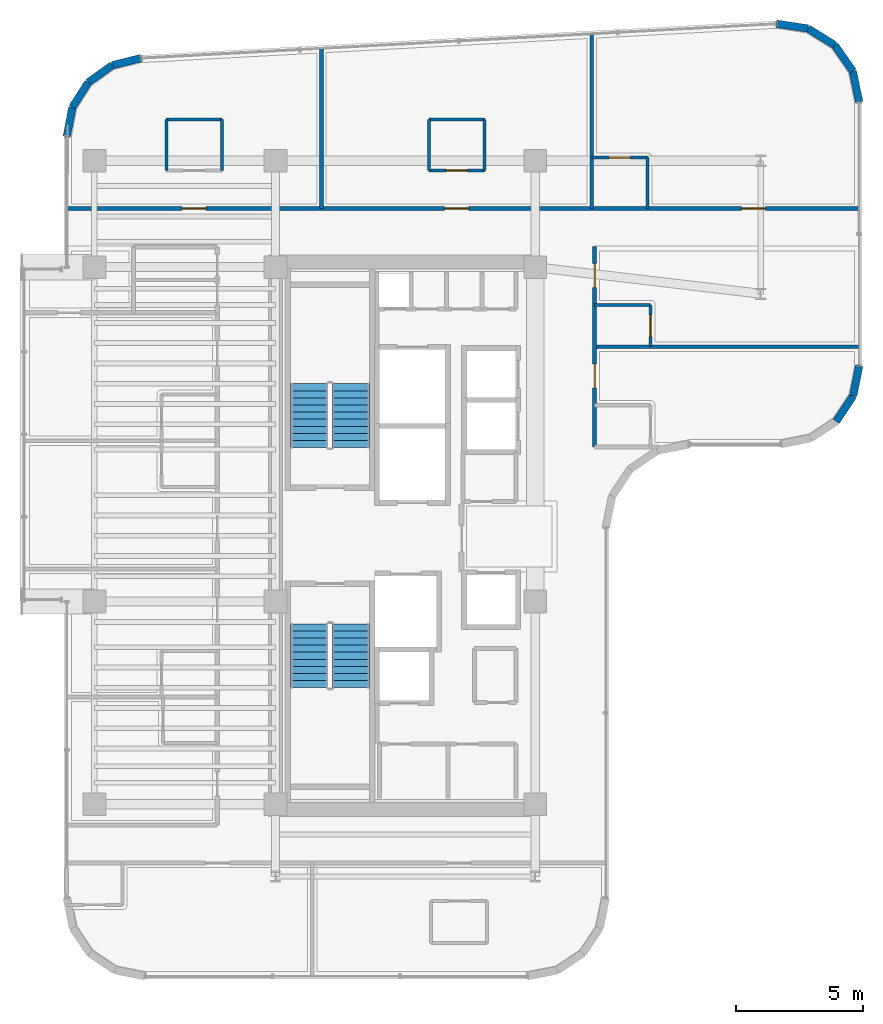
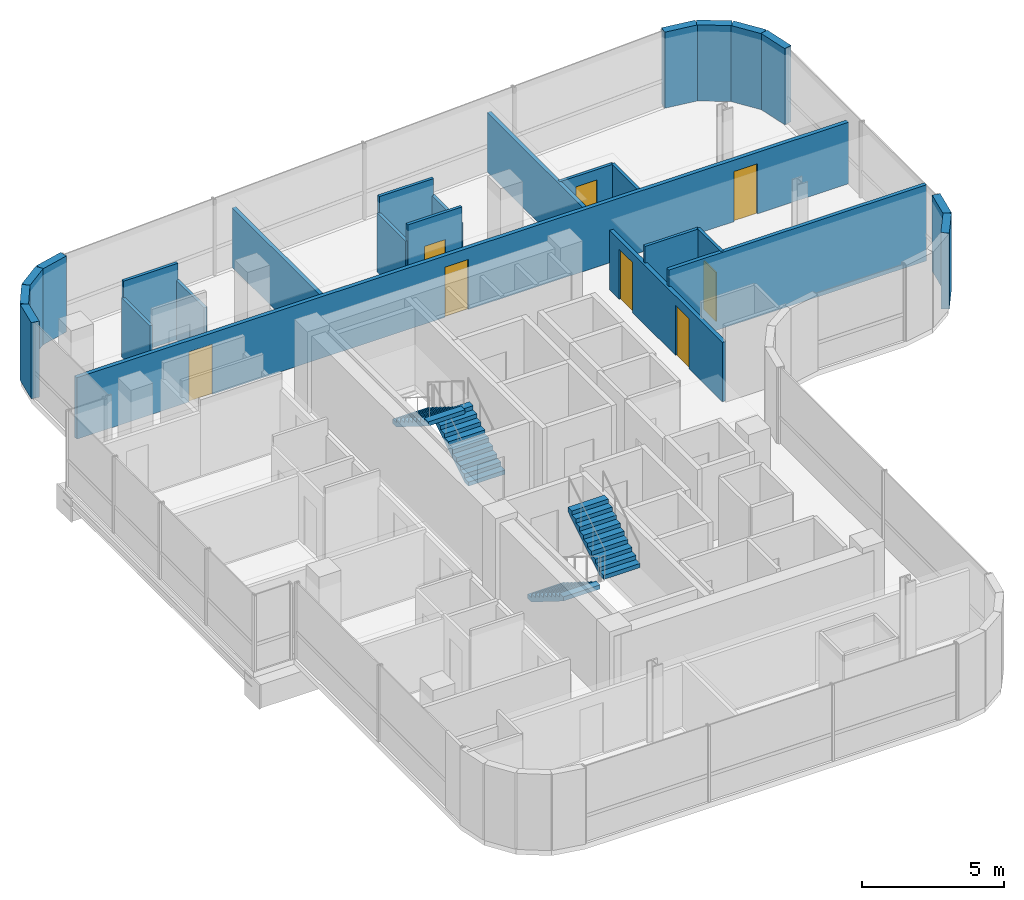
# One storey, part 19 of 22: 26 walls, 8 doors, 4 stair flights, 8 openings, 2 elements without a shape of their own.
"""IFC4 building model written with IfcOpenShell, lengths in metres."""

from ifc_helpers import new_model, si_unit, direction, frame, frame_2d, origin, place, context, subcontext, project, spatial, polyline, rectangle, outline, extrude, material, layer, layer_set, type_object, element, fill, aggregate, save


model = new_model("IFC4")

# Units and contexts
model_context = context("Model", 3, precision=1e-05, world=origin(), true_north=direction((0.0, 1.0)))
body_context = subcontext(model_context, "Body", "Model", "MODEL_VIEW")
ifc_project = project(units=[si_unit("LENGTHUNIT", "METRE"), si_unit("AREAUNIT", "SQUARE_METRE"), si_unit("VOLUMEUNIT", "CUBIC_METRE"), si_unit("PLANEANGLEUNIT", "RADIAN"), si_unit("MASSUNIT", "GRAM", prefix="KILO")], contexts=[model_context])

# Site, building, storey
site_placement = place(None, origin())
site = spatial("IfcSite", under=ifc_project, at=site_placement, CompositionType="ELEMENT")
building_placement = place(site_placement, origin())
building = spatial("IfcBuilding", under=site, at=building_placement, Name="Valdorenza Pilgrim Sanctuary Tower", CompositionType="ELEMENT")
storey_placement = place(building_placement, frame((0.0, 0.0, 216.0)))
storey = spatial("IfcBuildingStorey", under=building, at=storey_placement, Name="L55", CompositionType="ELEMENT", Elevation=216.0)

# Wall, openings, doors
ifc_material_1 = material(Name="Acoustic twin-stud gypsum partition", Category="gypsum")
ifc_layer_1 = layer(ifc_material_1, 0.159912109375, Name="Acoustic twin-stud gypsum partition")
ifc_layer_set_1 = layer_set([ifc_layer_1], Name="Acoustic twin-stud gypsum partition")
wall_type_1 = type_object("IfcWallType", Name="WAL-COR-160", PredefinedType="PARTITIONING", material=ifc_layer_set_1)
wall_1_placement = place(storey_placement, frame((-30.889892578125, 12.919921875, 0.0), z_axis=(0.0, 0.0, 1.0), x_axis=(1.0, 0.0, 0.0)))
wall_1 = element("IfcWall", 1, at=wall_1_placement, inside=storey, type_object=wall_type_1, Name="L55 North Corridor Wall", PredefinedType="PARTITIONING", context=body_context, shape_type="SweptSolid", body=[
    extrude(rectangle(XDim=31.27978515625, YDim=0.159912109375, at=frame_2d((15.639892578125, 0.0))), origin(), (0.0, 0.0, 1.0), 2.634033203125),
])
opening_1_placement = place(wall_1_placement, frame((4.553955078125, 0.0, 0.0)))
opening_1 = element("IfcOpeningElement", 2, at=opening_1_placement, cuts=wall_1, Name="Opening DR-UN1", PredefinedType="OPENING", context=body_context, shape_type="SweptSolid", body=[
    extrude(rectangle(XDim=0.949951171875, YDim=2.14990234375, at=frame_2d((0.47509765625, 1.074951171875))), frame((0.0, 0.0947265625, 0.0), z_axis=(0.0, -1.0, 0.0), x_axis=(1.0, 0.0, 0.0)), (0.0, 0.0, 1.0), 0.189697265625),
])
opening_2_placement = place(wall_1_placement, frame((14.9150390625, 0.0, 0.0)))
opening_2 = element("IfcOpeningElement", 3, at=opening_2_placement, cuts=wall_1, Name="Opening DR-UN1", PredefinedType="OPENING", context=body_context, shape_type="SweptSolid", body=[
    extrude(rectangle(XDim=0.949951171875, YDim=2.14990234375, at=frame_2d((0.47509765625, 1.074951171875))), frame((0.0, 0.0947265625, 0.0), z_axis=(0.0, -1.0, 0.0), x_axis=(1.0, 0.0, 0.0)), (0.0, 0.0, 1.0), 0.189697265625),
])
opening_3_placement = place(wall_1_placement, frame((26.626953125, 0.0, 0.0)))
opening_3 = element("IfcOpeningElement", 4, at=opening_3_placement, cuts=wall_1, Name="Opening DR-UN1", PredefinedType="OPENING", context=body_context, shape_type="SweptSolid", body=[
    extrude(rectangle(XDim=0.949951171875, YDim=2.14990234375, at=frame_2d((0.47509765625, 1.074951171875))), frame((0.0, 0.0947265625, 0.0), z_axis=(0.0, -1.0, 0.0), x_axis=(1.0, 0.0, 0.0)), (0.0, 0.0, 1.0), 0.189697265625),
])
ifc_material_2 = material(Name="Solid-core European oak timber", Category="wood")
door_type_1 = type_object("IfcDoorType", Name="DR-UNIT-950", OperationType="NOTDEFINED", PredefinedType="DOOR", material=ifc_material_2)
door_1_placement = place(opening_1_placement, origin())
door_1 = element("IfcDoor", 5, at=door_1_placement, inside=storey, type_object=door_type_1, Name="L55 North Guest Room L55-N1 Entrance Door", OperationType="SINGLE_SWING_RIGHT", OverallHeight=2.14990234375, OverallWidth=0.949951171875, PredefinedType="DOOR", context=body_context, shape_type="SweptSolid", body=[
    extrude(rectangle(XDim=0.949951171875, YDim=2.14990234375, at=frame_2d((0.47509765625, 1.074951171875))), frame((0.0, 0.02490234375, 0.0), z_axis=(0.0, -1.0, 0.0), x_axis=(1.0, 0.0, 0.0)), (0.0, 0.0, 1.0), 0.050048828125),
])
fill(opening_1, door_1)
door_2_placement = place(opening_2_placement, origin())
door_2 = element("IfcDoor", 6, at=door_2_placement, inside=storey, type_object=door_type_1, Name="L55 North Guest Room L55-N2 Entrance Door", OperationType="SINGLE_SWING_RIGHT", OverallHeight=2.14990234375, OverallWidth=0.949951171875, PredefinedType="DOOR", context=body_context, shape_type="SweptSolid", body=[
    extrude(rectangle(XDim=0.949951171875, YDim=2.14990234375, at=frame_2d((0.47509765625, 1.074951171875))), frame((0.0, 0.02490234375, 0.0), z_axis=(0.0, -1.0, 0.0), x_axis=(1.0, 0.0, 0.0)), (0.0, 0.0, 1.0), 0.050048828125),
])
fill(opening_2, door_2)
door_3_placement = place(opening_3_placement, origin())
door_3 = element("IfcDoor", 7, at=door_3_placement, inside=storey, type_object=door_type_1, Name="L55 North Guest Room L55-N3 Entrance Door", OperationType="SINGLE_SWING_RIGHT", OverallHeight=2.14990234375, OverallWidth=0.949951171875, PredefinedType="DOOR", context=body_context, shape_type="SweptSolid", body=[
    extrude(rectangle(XDim=0.949951171875, YDim=2.14990234375, at=frame_2d((0.47509765625, 1.074951171875))), frame((0.0, 0.02490234375, 0.0), z_axis=(0.0, -1.0, 0.0), x_axis=(1.0, 0.0, 0.0)), (0.0, 0.0, 1.0), 0.050048828125),
])
fill(opening_3, door_3)

wall_2_placement = place(storey_placement, frame((-10.050048828125, 3.5, 0.0), z_axis=(0.0, 0.0, 1.0), x_axis=(0.0, 1.0, 0.0)))
wall_2 = element("IfcWall", 8, at=wall_2_placement, inside=storey, type_object=wall_type_1, Name="L55 East Stub Corridor Wall", PredefinedType="PARTITIONING", context=body_context, shape_type="SweptSolid", body=[
    extrude(rectangle(XDim=7.919921875, YDim=0.159912109375, at=frame_2d((3.9599609375, 0.0))), origin(), (0.0, 0.0, 1.0), 2.5439453125),
])
opening_4_placement = place(wall_2_placement, frame((2.330078125, 0.0, 0.0)))
opening_4 = element("IfcOpeningElement", 9, at=opening_4_placement, cuts=wall_2, Name="Opening DR-UN1", PredefinedType="OPENING", context=body_context, shape_type="SweptSolid", body=[
    extrude(rectangle(XDim=0.949951171875, YDim=2.14990234375, at=frame_2d((0.47509765625, 1.074951171875))), frame((0.0, 0.0947265625, 0.0), z_axis=(0.0, -1.0, 0.0), x_axis=(1.0, 0.0, 0.0)), (0.0, 0.0, 1.0), 0.189697265625),
])
opening_5_placement = place(wall_2_placement, frame((6.2900390625, 0.0, 0.0)))
opening_5 = element("IfcOpeningElement", 10, at=opening_5_placement, cuts=wall_2, Name="Opening DR-UN1", PredefinedType="OPENING", context=body_context, shape_type="SweptSolid", body=[
    extrude(rectangle(XDim=0.949951171875, YDim=2.14990234375, at=frame_2d((0.47509765625, 1.074951171875))), frame((0.0, 0.0947265625, 0.0), z_axis=(0.0, -1.0, 0.0), x_axis=(1.0, 0.0, 0.0)), (0.0, 0.0, 1.0), 0.189697265625),
])
door_4_placement = place(opening_4_placement, origin())
door_4 = element("IfcDoor", 11, at=door_4_placement, inside=storey, type_object=door_type_1, Name="L55 East Sanctuary Guest Room L55-E1 Entrance Door", OperationType="SINGLE_SWING_RIGHT", OverallHeight=2.14990234375, OverallWidth=0.949951171875, PredefinedType="DOOR", context=body_context, shape_type="SweptSolid", body=[
    extrude(rectangle(XDim=0.949951171875, YDim=2.14990234375, at=frame_2d((0.47509765625, 1.074951171875))), frame((0.0, 0.02490234375, 0.0), z_axis=(0.0, -1.0, 0.0), x_axis=(1.0, 0.0, 0.0)), (0.0, 0.0, 1.0), 0.050048828125),
])
fill(opening_4, door_4)
door_5_placement = place(opening_5_placement, origin())
door_5 = element("IfcDoor", 12, at=door_5_placement, inside=storey, type_object=door_type_1, Name="L55 East Sanctuary Guest Room L55-E2 Entrance Door", OperationType="SINGLE_SWING_RIGHT", OverallHeight=2.14990234375, OverallWidth=0.949951171875, PredefinedType="DOOR", context=body_context, shape_type="SweptSolid", body=[
    extrude(rectangle(XDim=0.949951171875, YDim=2.14990234375, at=frame_2d((0.47509765625, 1.074951171875))), frame((0.0, 0.02490234375, 0.0), z_axis=(0.0, -1.0, 0.0), x_axis=(1.0, 0.0, 0.0)), (0.0, 0.0, 1.0), 0.050048828125),
])
fill(opening_5, door_5)

# Walls
ifc_material_3 = material(Name="Honed travertine limestone", Category="masonry")
ifc_layer_2 = layer(ifc_material_3, 0.300048828125, Name="Honed travertine limestone")
ifc_layer_set_2 = layer_set([ifc_layer_2], Name="Honed travertine limestone")
wall_type_2 = type_object("IfcWallType", Name="WAL-EXT-300", PredefinedType="SOLIDWALL", material=ifc_layer_set_2)
wall_3_placement = place(storey_placement, frame((-30.889892578125, 15.757568359375, 0.0), z_axis=(0.0, 0.0, 1.0), x_axis=(0.18831542659, 0.982108598938, 0.0)))
element("IfcWall", 13, at=wall_3_placement, inside=storey, type_object=wall_type_2, Name="L55 Rounded Wind-Corner Stone Pier 2", PredefinedType="SOLIDWALL", context=body_context, shape_type="SweptSolid", body=[
    extrude(rectangle(XDim=1.174560546875, YDim=0.300048828125, at=frame_2d((0.58740234375, 0.0))), origin(), (0.0, 0.0, 1.0), 3.260009765625),
])
wall_4_placement = place(storey_placement, frame((-30.668701171875, 16.9111328125, 0.0), z_axis=(0.0, 0.0, 1.0), x_axis=(0.538678781902, 0.84251122837, 0.0)))
element("IfcWall", 14, at=wall_4_placement, inside=storey, type_object=wall_type_2, Name="L55 Rounded Wind-Corner Stone Pier 3", PredefinedType="SOLIDWALL", context=body_context, shape_type="SweptSolid", body=[
    extrude(rectangle(XDim=1.164306640625, YDim=0.300048828125, at=frame_2d((0.58203125, 0.0))), origin(), (0.0, 0.0, 1.0), 3.260009765625),
])
wall_5_placement = place(storey_placement, frame((-30.04150390625, 17.89208984375, 0.0), z_axis=(0.0, 0.0, 1.0), x_axis=(0.812313539683, 0.583220981487, 0.0)))
element("IfcWall", 15, at=wall_5_placement, inside=storey, type_object=wall_type_2, Name="L55 Rounded Wind-Corner Stone Pier 4", PredefinedType="SOLIDWALL", context=body_context, shape_type="SweptSolid", body=[
    extrude(rectangle(XDim=1.163818359375, YDim=0.300048828125, at=frame_2d((0.58203125, 0.0))), origin(), (0.0, 0.0, 1.0), 3.260009765625),
])
wall_6_placement = place(storey_placement, frame((-29.09619140625, 18.57080078125, 0.0), z_axis=(0.0, 0.0, 1.0), x_axis=(0.97050812798, 0.241068400098, 0.0)))
element("IfcWall", 16, at=wall_6_placement, inside=storey, type_object=wall_type_2, Name="L55 Rounded Wind-Corner Stone Pier 5", PredefinedType="SOLIDWALL", context=body_context, shape_type="SweptSolid", body=[
    extrude(rectangle(XDim=1.1748046875, YDim=0.300048828125, at=frame_2d((0.58740234375, 0.0))), origin(), (0.0, 0.0, 1.0), 3.260009765625),
])
wall_7_placement = place(storey_placement, frame((-2.877685546875, 20.20751953125, 0.0), z_axis=(0.0, 0.0, 1.0), x_axis=(0.988902138571, -0.148568369208, 0.0)))
element("IfcWall", 17, at=wall_7_placement, inside=storey, type_object=wall_type_2, Name="L55 Rounded Wind-Corner Stone Pier 7", PredefinedType="SOLIDWALL", context=body_context, shape_type="SweptSolid", body=[
    extrude(rectangle(XDim=1.257080078125, YDim=0.300048828125, at=frame_2d((0.62841796875, 0.0))), origin(), (0.0, 0.0, 1.0), 3.260009765625),
])
wall_8_placement = place(storey_placement, frame((-1.634521484375, 20.020751953125, 0.0), z_axis=(0.0, 0.0, 1.0), x_axis=(0.849646224094, -0.52735310171, 0.0)))
element("IfcWall", 18, at=wall_8_placement, inside=storey, type_object=wall_type_2, Name="L55 Rounded Wind-Corner Stone Pier 8", PredefinedType="SOLIDWALL", context=body_context, shape_type="SweptSolid", body=[
    extrude(rectangle(XDim=1.245361328125, YDim=0.300048828125, at=frame_2d((0.62255859375, 0.0))), origin(), (0.0, 0.0, 1.0), 3.260009765625),
])
wall_9_placement = place(storey_placement, frame((-0.576416015625, 19.364013671875, 0.0), z_axis=(0.0, 0.0, 1.0), x_axis=(0.572304219931, -0.820041389107, 0.0)))
element("IfcWall", 19, at=wall_9_placement, inside=storey, type_object=wall_type_2, Name="L55 Rounded Wind-Corner Stone Pier 9", PredefinedType="SOLIDWALL", context=body_context, shape_type="SweptSolid", body=[
    extrude(rectangle(XDim=1.24560546875, YDim=0.300048828125, at=frame_2d((0.622802734375, 0.0))), origin(), (0.0, 0.0, 1.0), 3.260009765625),
])
wall_10_placement = place(storey_placement, frame((0.136474609375, 18.342529296875, 0.0), z_axis=(0.0, 0.0, 1.0), x_axis=(0.201603599025, -0.979467196419, 0.0)))
element("IfcWall", 20, at=wall_10_placement, inside=storey, type_object=wall_type_2, Name="L55 Rounded Wind-Corner Stone Pier 10", PredefinedType="SOLIDWALL", context=body_context, shape_type="SweptSolid", body=[
    extrude(rectangle(XDim=1.257080078125, YDim=0.300048828125, at=frame_2d((0.62841796875, 0.0))), origin(), (0.0, 0.0, 1.0), 3.260009765625),
])
wall_11_placement = place(storey_placement, frame((0.389892578125, 6.710693359375, 0.0), z_axis=(0.0, 0.0, 1.0), x_axis=(-0.194996050505, -0.980804027463, 0.0)))
element("IfcWall", 21, at=wall_11_placement, inside=storey, type_object=wall_type_2, Name="L55 Rounded Wind-Corner Stone Pier 12", PredefinedType="SOLIDWALL", context=body_context, shape_type="SweptSolid", body=[
    extrude(rectangle(XDim=1.2158203125, YDim=0.300048828125, at=frame_2d((0.60791015625, 0.0))), origin(), (0.0, 0.0, 1.0), 3.260009765625),
])
wall_12_placement = place(storey_placement, frame((0.15283203125, 5.518310546875, 0.0), z_axis=(0.0, 0.0, 1.0), x_axis=(-0.555635100982, -0.831426265255, 0.0)))
element("IfcWall", 22, at=wall_12_placement, inside=storey, type_object=wall_type_2, Name="L55 Rounded Wind-Corner Stone Pier 13", PredefinedType="SOLIDWALL", context=body_context, shape_type="SweptSolid", body=[
    extrude(rectangle(XDim=1.204833984375, YDim=0.300048828125, at=frame_2d((0.6025390625, 0.0))), origin(), (0.0, 0.0, 1.0), 3.260009765625),
])
ifc_material_4 = material(Name="Moisture-resistant gypsum partition", Category="gypsum")
ifc_layer_3 = layer(ifc_material_4, 0.1201171875, Name="Moisture-resistant gypsum partition")
ifc_layer_set_3 = layer_set([ifc_layer_3], Name="Moisture-resistant gypsum partition")
wall_type_3 = type_object("IfcWallType", Name="WAL-INT-120", PredefinedType="PARTITIONING", material=ifc_layer_set_3)
for number, where, z_axis, x_axis, name in (
    (23, (-26.96142578125, 14.419921875, 0.0), (0.0, 0.0, 1.0), (0.0, 1.0, 0.0), "L55 North Guest Room L55-N1 En-suite West Wall"),
    (24, (-24.761474609375, 14.419921875, 0.0), (0.0, 0.0, 1.0), (0.0, 1.0, 0.0), "L55 North Guest Room L55-N1 En-suite East Wall"),
):
    element("IfcWall", number, at=place(storey_placement, frame(where, z_axis=z_axis, x_axis=x_axis)), inside=storey, type_object=wall_type_3, Name=name, PredefinedType="PARTITIONING", context=body_context, shape_type="SweptSolid", body=[
        extrude(rectangle(XDim=2.0, YDim=0.1201171875, at=frame_2d((1.0, 0.0))), origin(), (0.0, 0.0, 1.0), 2.5439453125),
    ])
wall_13_placement = place(storey_placement, frame((-26.96142578125, 16.419921875, 0.0), z_axis=(0.0, 0.0, 1.0), x_axis=(1.0, 0.0, 0.0)))
element("IfcWall", 25, at=wall_13_placement, inside=storey, type_object=wall_type_3, Name="L55 North Guest Room L55-N1 En-suite Back Wall", PredefinedType="PARTITIONING", context=body_context, shape_type="SweptSolid", body=[
    extrude(rectangle(XDim=2.199951171875, YDim=0.1201171875, at=frame_2d((1.10009765625, 0.0))), origin(), (0.0, 0.0, 1.0), 3.260009765625),
])
for number, where, z_axis, x_axis, name in (
    (26, (-16.60009765625, 14.419921875, 0.0), (0.0, 0.0, 1.0), (0.0, 1.0, 0.0), "L55 North Guest Room L55-N2 En-suite West Wall"),
    (27, (-14.39990234375, 14.419921875, 0.0), (0.0, 0.0, 1.0), (0.0, 1.0, 0.0), "L55 North Guest Room L55-N2 En-suite East Wall"),
):
    element("IfcWall", number, at=place(storey_placement, frame(where, z_axis=z_axis, x_axis=x_axis)), inside=storey, type_object=wall_type_3, Name=name, PredefinedType="PARTITIONING", context=body_context, shape_type="SweptSolid", body=[
        extrude(rectangle(XDim=2.0, YDim=0.1201171875, at=frame_2d((1.0, 0.0))), origin(), (0.0, 0.0, 1.0), 2.5439453125),
    ])
wall_14_placement = place(storey_placement, frame((-16.60009765625, 16.419921875, 0.0), z_axis=(0.0, 0.0, 1.0), x_axis=(1.0, 0.0, 0.0)))
element("IfcWall", 28, at=wall_14_placement, inside=storey, type_object=wall_type_3, Name="L55 North Guest Room L55-N2 En-suite Back Wall", PredefinedType="PARTITIONING", context=body_context, shape_type="SweptSolid", body=[
    extrude(rectangle(XDim=2.2001953125, YDim=0.1201171875, at=frame_2d((1.10009765625, 0.0))), origin(), (0.0, 0.0, 1.0), 3.260009765625),
])

# Wall, opening, door
wall_15_placement = place(storey_placement, frame((-16.60009765625, 14.419921875, 0.0), z_axis=(0.0, 0.0, 1.0), x_axis=(1.0, 0.0, 0.0)))
wall_15 = element("IfcWall", 29, at=wall_15_placement, inside=storey, type_object=wall_type_3, Name="L55 North Guest Room L55-N2 En-suite Door Wall", PredefinedType="PARTITIONING", context=body_context, shape_type="SweptSolid", body=[
    extrude(rectangle(XDim=2.2001953125, YDim=0.1201171875, at=frame_2d((1.10009765625, 0.0))), origin(), (0.0, 0.0, 1.0), 3.260009765625),
])
opening_6_placement = place(wall_15_placement, frame((0.675048828125, 0.0, 0.0)))
opening_6 = element("IfcOpeningElement", 30, at=opening_6_placement, cuts=wall_15, Name="Opening DR-WC1", PredefinedType="OPENING", context=body_context, shape_type="SweptSolid", body=[
    extrude(rectangle(XDim=0.85009765625, YDim=2.10009765625, at=frame_2d((0.425048828125, 1.050048828125))), frame((0.0, 0.074951171875, 0.0), z_axis=(0.0, -1.0, 0.0), x_axis=(1.0, 0.0, 0.0)), (0.0, 0.0, 1.0), 0.14990234375),
])
ifc_material_5 = material(Name="Moisture-resistant lacquered timber", Category="wood")
door_type_2 = type_object("IfcDoorType", Name="DR-BATH-850", OperationType="NOTDEFINED", PredefinedType="DOOR", material=ifc_material_5)
door_6_placement = place(opening_6_placement, origin())
door_6 = element("IfcDoor", 31, at=door_6_placement, inside=storey, type_object=door_type_2, Name="L55 North Guest Room L55-N2 En-suite Bathroom Door", OperationType="SINGLE_SWING_LEFT", OverallHeight=2.10009765625, OverallWidth=0.85009765625, PredefinedType="DOOR", context=body_context, shape_type="SweptSolid", body=[
    extrude(rectangle(XDim=0.85009765625, YDim=2.10009765625, at=frame_2d((0.425048828125, 1.050048828125))), frame((0.0, 0.02490234375, 0.0), z_axis=(0.0, -1.0, 0.0), x_axis=(1.0, 0.0, 0.0)), (0.0, 0.0, 1.0), 0.050048828125),
])
fill(opening_6, door_6)

# Wall
wall_16_placement = place(storey_placement, frame((-7.967041015625, 12.919921875, 0.0), z_axis=(0.0, 0.0, 1.0), x_axis=(0.0, 1.0, 0.0)))
element("IfcWall", 32, at=wall_16_placement, inside=storey, type_object=wall_type_3, Name="L55 North Guest Room L55-N3 En-suite East Wall", PredefinedType="PARTITIONING", context=body_context, shape_type="SweptSolid", body=[
    extrude(rectangle(XDim=2.0, YDim=0.1201171875, at=frame_2d((1.0, 0.0))), origin(), (0.0, 0.0, 1.0), 2.5439453125),
])

# Wall, opening, door
wall_17_placement = place(storey_placement, frame((-10.1669921875, 14.919921875, 0.0), z_axis=(0.0, 0.0, 1.0), x_axis=(1.0, 0.0, 0.0)))
wall_17 = element("IfcWall", 33, at=wall_17_placement, inside=storey, type_object=wall_type_3, Name="L55 North Guest Room L55-N3 En-suite Door Wall", PredefinedType="PARTITIONING", context=body_context, shape_type="SweptSolid", body=[
    extrude(rectangle(XDim=2.199951171875, YDim=0.1201171875, at=frame_2d((1.10009765625, 0.0))), origin(), (0.0, 0.0, 1.0), 2.5439453125),
])
opening_7_placement = place(wall_17_placement, frame((0.675048828125, 0.0, 0.0)))
opening_7 = element("IfcOpeningElement", 34, at=opening_7_placement, cuts=wall_17, Name="Opening DR-WC1", PredefinedType="OPENING", context=body_context, shape_type="SweptSolid", body=[
    extrude(rectangle(XDim=0.85009765625, YDim=2.10009765625, at=frame_2d((0.425048828125, 1.050048828125))), frame((0.0, 0.074951171875, 0.0), z_axis=(0.0, -1.0, 0.0), x_axis=(1.0, 0.0, 0.0)), (0.0, 0.0, 1.0), 0.14990234375),
])
door_7_placement = place(opening_7_placement, origin())
door_7 = element("IfcDoor", 35, at=door_7_placement, inside=storey, type_object=door_type_2, Name="L55 North Guest Room L55-N3 En-suite Bathroom Door", OperationType="SINGLE_SWING_LEFT", OverallHeight=2.10009765625, OverallWidth=0.85009765625, PredefinedType="DOOR", context=body_context, shape_type="SweptSolid", body=[
    extrude(rectangle(XDim=0.85009765625, YDim=2.10009765625, at=frame_2d((0.425048828125, 1.050048828125))), frame((0.0, 0.02490234375, 0.0), z_axis=(0.0, -1.0, 0.0), x_axis=(1.0, 0.0, 0.0)), (0.0, 0.0, 1.0), 0.050048828125),
])
fill(opening_7, door_7)

# Wall
wall_18_placement = place(storey_placement, frame((-10.050048828125, 9.110107421875, 0.0), z_axis=(0.0, 0.0, 1.0), x_axis=(1.0, 0.0, 0.0)))
element("IfcWall", 36, at=wall_18_placement, inside=storey, type_object=wall_type_3, Name="L55 East Sanctuary Guest Room L55-E2 En-suite North Wall", PredefinedType="PARTITIONING", context=body_context, shape_type="SweptSolid", body=[
    extrude(rectangle(XDim=2.199951171875, YDim=0.1201171875, at=frame_2d((1.10009765625, 0.0))), origin(), (0.0, 0.0, 1.0), 3.260009765625),
])

# Wall, opening, door
wall_19_placement = place(storey_placement, frame((-7.85009765625, 7.4599609375, 0.0), z_axis=(0.0, 0.0, 1.0), x_axis=(0.0, 1.0, 0.0)))
wall_19 = element("IfcWall", 37, at=wall_19_placement, inside=storey, type_object=wall_type_3, Name="L55 East Sanctuary Guest Room L55-E2 En-suite Door Wall", PredefinedType="PARTITIONING", context=body_context, shape_type="SweptSolid", body=[
    extrude(rectangle(XDim=1.650146484375, YDim=0.1201171875, at=frame_2d((0.8251953125, 0.0))), origin(), (0.0, 0.0, 1.0), 3.260009765625),
])
opening_8_placement = place(wall_19_placement, frame((0.39990234375, 0.0, 0.0)))
opening_8 = element("IfcOpeningElement", 38, at=opening_8_placement, cuts=wall_19, Name="Opening DR-WC1", PredefinedType="OPENING", context=body_context, shape_type="SweptSolid", body=[
    extrude(rectangle(XDim=0.85009765625, YDim=2.10009765625, at=frame_2d((0.425048828125, 1.050048828125))), frame((0.0, 0.074951171875, 0.0), z_axis=(0.0, -1.0, 0.0), x_axis=(1.0, 0.0, 0.0)), (0.0, 0.0, 1.0), 0.14990234375),
])
door_8_placement = place(opening_8_placement, origin())
door_8 = element("IfcDoor", 39, at=door_8_placement, inside=storey, type_object=door_type_2, Name="L55 East Sanctuary Guest Room L55-E2 En-suite Bathroom Door", OperationType="SINGLE_SWING_LEFT", OverallHeight=2.10009765625, OverallWidth=0.85009765625, PredefinedType="DOOR", context=body_context, shape_type="SweptSolid", body=[
    extrude(rectangle(XDim=0.85009765625, YDim=2.10009765625, at=frame_2d((0.425048828125, 1.050048828125))), frame((0.0, 0.02490234375, 0.0), z_axis=(0.0, -1.0, 0.0), x_axis=(1.0, 0.0, 0.0)), (0.0, 0.0, 1.0), 0.050048828125),
])
fill(opening_8, door_8)

# Walls
ifc_layer_4 = layer(ifc_material_1, 0.14990234375, Name="Acoustic twin-stud gypsum partition")
ifc_layer_set_4 = layer_set([ifc_layer_4], Name="Acoustic twin-stud gypsum partition")
wall_type_4 = type_object("IfcWallType", Name="WAL-UNT-150", PredefinedType="PARTITIONING", material=ifc_layer_set_4)
wall_20_placement = place(storey_placement, frame((-20.8330078125, 12.919921875, 0.0), z_axis=(0.0, 0.0, 1.0), x_axis=(0.0, 1.0, 0.0)))
element("IfcWall", 40, at=wall_20_placement, inside=storey, type_object=wall_type_4, Name="L55 North Demising 1", PredefinedType="PARTITIONING", context=body_context, shape_type="SweptSolid", body=[
    extrude(rectangle(XDim=6.318603515625, YDim=0.14990234375, at=frame_2d((3.1591796875, 0.0))), origin(), (0.0, 0.0, 1.0), 2.5439453125),
])
wall_21_placement = place(storey_placement, frame((-10.1669921875, 12.919921875, 0.0), z_axis=(0.0, 0.0, 1.0), x_axis=(0.0, 1.0, 0.0)))
element("IfcWall", 41, at=wall_21_placement, inside=storey, type_object=wall_type_4, Name="L55 North Demising 2", PredefinedType="PARTITIONING", context=body_context, shape_type="SweptSolid", body=[
    extrude(rectangle(XDim=6.894287109375, YDim=0.14990234375, at=frame_2d((3.447265625, 0.0))), origin(), (0.0, 0.0, 1.0), 2.5439453125),
])
wall_22_placement = place(storey_placement, frame((-10.050048828125, 7.4599609375, 0.0), z_axis=(0.0, 0.0, 1.0), x_axis=(1.0, 0.0, 0.0)))
element("IfcWall", 42, at=wall_22_placement, inside=storey, type_object=wall_type_4, Name="L55 East Stub Demising Wall", PredefinedType="PARTITIONING", context=body_context, shape_type="SweptSolid", body=[
    extrude(rectangle(XDim=10.43994140625, YDim=0.14990234375, at=frame_2d((5.219970703125, 0.0))), origin(), (0.0, 0.0, 1.0), 3.260009765625),
])

# Stair, stair flights
ifc_material_6 = material(Name="Concrete C40/50", Category="concrete")
stair_type = type_object("IfcStairType", Name="STR-DOG-CORE", PredefinedType="HALF_TURN_STAIR", material=ifc_material_6)
stair_1_placement = place(storey_placement, origin())
stair_1 = element("IfcStair", 43, at=stair_1_placement, inside=storey, type_object=stair_type, Name="L55 ST-A1", PredefinedType="HALF_TURN_STAIR")
stair_flight_type = type_object("IfcStairFlightType", Name="STF-RC-1400", PredefinedType="STRAIGHT", material=ifc_material_6)
stair_flight_1_placement = place(storey_placement, frame((-19.679931640625, 3.47998046875, 0.0), z_axis=(0.0, 0.0, 1.0), x_axis=(0.0, 1.0, 0.0)))
stair_flight_1 = element("IfcStairFlight", 44, at=stair_flight_1_placement, type_object=stair_flight_type, Name="ST-A1 flight 1", NumberOfRisers=10, NumberOfTreads=9, PredefinedType="STRAIGHT", RiserHeight=0.175, TreadLength=0.28, context=body_context, shape_type="SweptSolid", body=[
    extrude(outline(polyline([(0.0, 0.0), (0.0, 0.175048828125), (0.280029296875, 0.175048828125), (0.280029296875, 0.35009765625), (0.56005859375, 0.35009765625), (0.56005859375, 0.52490234375), (0.840087890625, 0.52490234375), (0.840087890625, 0.699951171875), (1.1201171875, 0.699951171875), (1.1201171875, 0.875), (1.39990234375, 0.875), (1.39990234375, 1.050048828125), (1.679931640625, 1.050048828125), (1.679931640625, 1.22509765625), (1.9599609375, 1.22509765625), (1.9599609375, 1.39990234375), (2.239990234375, 1.39990234375), (2.239990234375, 1.574951171875), (2.52001953125, 1.574951171875), (2.52001953125, 1.75), (2.52001953125, 1.398193359375), (0.28271484375, 0.0), (0.0, 0.0)])), frame((0.0, 0.739990234375, 0.0), z_axis=(0.0, -1.0, 0.0), x_axis=(1.0, 0.0, 0.0)), (0.0, 0.0, 1.0), 1.47998046875),
])
stair_flight_2_placement = place(storey_placement, frame((-21.31005859375, 6.0, 1.75), z_axis=(0.0, 0.0, 1.0), x_axis=(0.0, -1.0, 0.0)))
stair_flight_2 = element("IfcStairFlight", 45, at=stair_flight_2_placement, type_object=stair_flight_type, Name="ST-A1 flight 2", NumberOfRisers=10, NumberOfTreads=9, PredefinedType="STRAIGHT", RiserHeight=0.175, TreadLength=0.28, context=body_context, shape_type="SweptSolid", body=[
    extrude(outline(polyline([(0.0, 0.0), (0.0, 0.175048828125), (0.280029296875, 0.175048828125), (0.280029296875, 0.35009765625), (0.56005859375, 0.35009765625), (0.56005859375, 0.52490234375), (0.840087890625, 0.52490234375), (0.840087890625, 0.699951171875), (1.1201171875, 0.699951171875), (1.1201171875, 0.875), (1.39990234375, 0.875), (1.39990234375, 1.050048828125), (1.679931640625, 1.050048828125), (1.679931640625, 1.22509765625), (1.9599609375, 1.22509765625), (1.9599609375, 1.39990234375), (2.239990234375, 1.39990234375), (2.239990234375, 1.574951171875), (2.52001953125, 1.574951171875), (2.52001953125, 1.75), (2.52001953125, 1.398193359375), (0.28271484375, 0.0), (0.0, 0.0)])), frame((0.0, 0.739990234375, 0.0), z_axis=(0.0, -1.0, 0.0), x_axis=(1.0, 0.0, 0.0)), (0.0, 0.0, 1.0), 1.47998046875),
])
aggregate(stair_1, [stair_flight_1, stair_flight_2])

stair_2_placement = place(storey_placement, origin())
stair_2 = element("IfcStair", 46, at=stair_2_placement, inside=storey, type_object=stair_type, Name="L55 ST-A2", PredefinedType="HALF_TURN_STAIR")
stair_flight_3_placement = place(storey_placement, frame((-21.31005859375, -3.47998046875, 0.0), z_axis=(0.0, 0.0, 1.0), x_axis=(0.0, -1.0, 0.0)))
stair_flight_3 = element("IfcStairFlight", 47, at=stair_flight_3_placement, type_object=stair_flight_type, Name="ST-A2 flight 1", NumberOfRisers=10, NumberOfTreads=9, PredefinedType="STRAIGHT", RiserHeight=0.175, TreadLength=0.28, context=body_context, shape_type="SweptSolid", body=[
    extrude(outline(polyline([(0.0, 0.0), (0.0, 0.175048828125), (0.280029296875, 0.175048828125), (0.280029296875, 0.35009765625), (0.56005859375, 0.35009765625), (0.56005859375, 0.52490234375), (0.840087890625, 0.52490234375), (0.840087890625, 0.699951171875), (1.1201171875, 0.699951171875), (1.1201171875, 0.875), (1.39990234375, 0.875), (1.39990234375, 1.050048828125), (1.679931640625, 1.050048828125), (1.679931640625, 1.22509765625), (1.9599609375, 1.22509765625), (1.9599609375, 1.39990234375), (2.239990234375, 1.39990234375), (2.239990234375, 1.574951171875), (2.52001953125, 1.574951171875), (2.52001953125, 1.75), (2.52001953125, 1.398193359375), (0.28271484375, 0.0), (0.0, 0.0)])), frame((0.0, 0.739990234375, 0.0), z_axis=(0.0, -1.0, 0.0), x_axis=(1.0, 0.0, 0.0)), (0.0, 0.0, 1.0), 1.47998046875),
])
stair_flight_4_placement = place(storey_placement, frame((-19.679931640625, -6.0, 1.75), z_axis=(0.0, 0.0, 1.0), x_axis=(0.0, 1.0, 0.0)))
stair_flight_4 = element("IfcStairFlight", 48, at=stair_flight_4_placement, type_object=stair_flight_type, Name="ST-A2 flight 2", NumberOfRisers=10, NumberOfTreads=9, PredefinedType="STRAIGHT", RiserHeight=0.175, TreadLength=0.28, context=body_context, shape_type="SweptSolid", body=[
    extrude(outline(polyline([(0.0, 0.0), (0.0, 0.175048828125), (0.280029296875, 0.175048828125), (0.280029296875, 0.35009765625), (0.56005859375, 0.35009765625), (0.56005859375, 0.52490234375), (0.840087890625, 0.52490234375), (0.840087890625, 0.699951171875), (1.1201171875, 0.699951171875), (1.1201171875, 0.875), (1.39990234375, 0.875), (1.39990234375, 1.050048828125), (1.679931640625, 1.050048828125), (1.679931640625, 1.22509765625), (1.9599609375, 1.22509765625), (1.9599609375, 1.39990234375), (2.239990234375, 1.39990234375), (2.239990234375, 1.574951171875), (2.52001953125, 1.574951171875), (2.52001953125, 1.75), (2.52001953125, 1.398193359375), (0.28271484375, 0.0), (0.0, 0.0)])), frame((0.0, 0.739990234375, 0.0), z_axis=(0.0, -1.0, 0.0), x_axis=(1.0, 0.0, 0.0)), (0.0, 0.0, 1.0), 1.47998046875),
])
aggregate(stair_2, [stair_flight_3, stair_flight_4])

save(model, "model.ifc")
